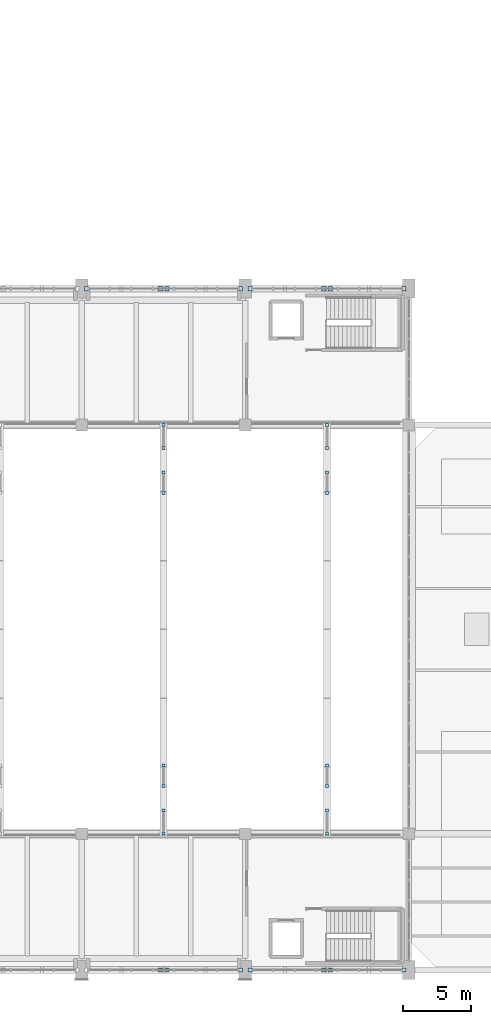
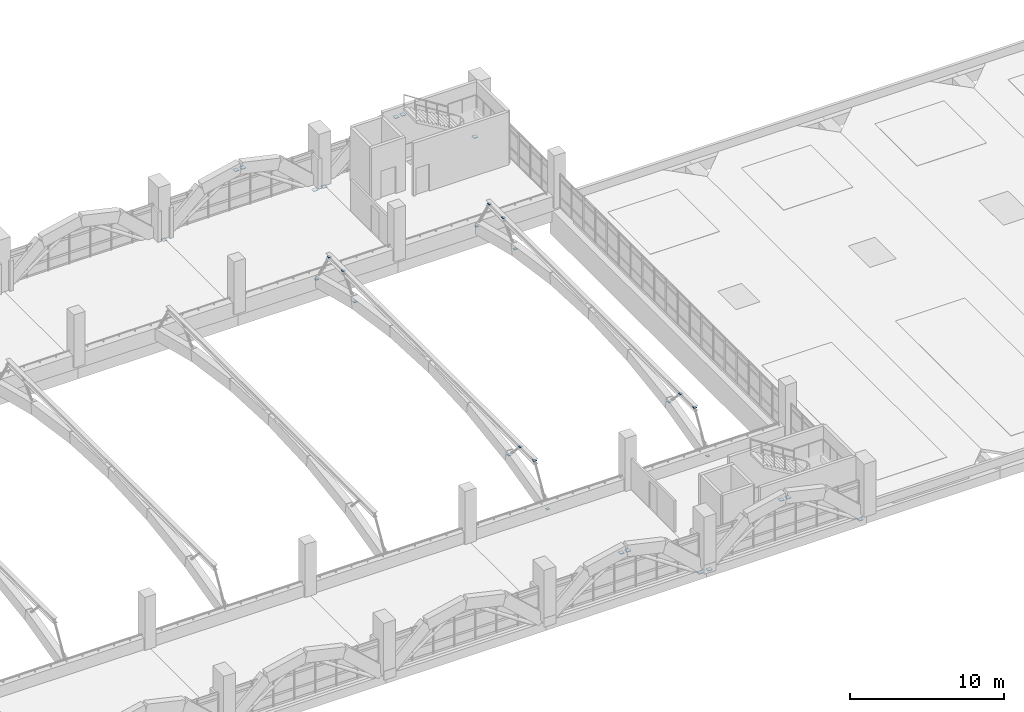
# One storey, part 144 of 161: 31 plates.
"""IFC4 building model written with IfcOpenShell, lengths in metres."""

from ifc_helpers import new_model, si_unit, direction, frame, origin, origin_2d, place, context, subcontext, project, spatial, rectangle, extrude, material, layer, layer_set, type_object, element, save


model = new_model("IFC4")

# Units and contexts
model_context = context("Model", 3, precision=1e-05, world=origin(), true_north=direction((0.0, 1.0)))
body_context = subcontext(model_context, "Body", "Model", "MODEL_VIEW")
ifc_project = project(units=[si_unit("LENGTHUNIT", "METRE"), si_unit("AREAUNIT", "SQUARE_METRE"), si_unit("VOLUMEUNIT", "CUBIC_METRE"), si_unit("PLANEANGLEUNIT", "RADIAN"), si_unit("MASSUNIT", "GRAM", prefix="KILO")], contexts=[model_context])

# Site, building, storey
site_placement = place(None, origin())
site = spatial("IfcSite", under=ifc_project, at=site_placement, CompositionType="ELEMENT")
building_placement = place(site_placement, origin())
building = spatial("IfcBuilding", under=site, at=building_placement, Name="Mersad Railyard Sports Hall", CompositionType="ELEMENT")
storey_placement = place(building_placement, frame((0.0, 0.0, 4.800048828125)))
storey = spatial("IfcBuildingStorey", under=building, at=storey_placement, Name="L01", CompositionType="ELEMENT", Elevation=4.800048828125)

# Plates
ifc_material = material(Name="Steel S355", Category="steel")
ifc_layer_1 = layer(ifc_material, 0.01611328125)
ifc_layer_set_1 = layer_set([ifc_layer_1], Name="Steel S355")
plate_type_1 = type_object("IfcPlateType", Name="STR-PL-KP02", PredefinedType="SHEET", material=ifc_layer_set_1)
for number, where, z_axis, x_axis, name in (
    (1, (73.0, 13.5, 0.33154296875), (0.0, 0.0, 1.0), (1.0, 0.0, 0.0), "End cap plate KP02-0157"),
    (2, (73.0, 15.199951171875, 3.141845703125), (0.0, 0.0, 1.0), (1.0, 0.0, 0.0), "End cap plate KP02-0158"),
    (3, (73.0, 18.5, 1.5712890625), (0.0, 0.0, 1.0), (1.0, 0.0, 0.0), "End cap plate KP02-0159"),
    (4, (73.0, 17.0, 3.141845703125), (0.0, 0.0, 1.0), (1.0, 0.0, 0.0), "End cap plate KP02-0160"),
    (5, (73.0, 43.5, 0.33154296875), (0.0, 0.0, 1.0), (1.0, 0.0, 0.0), "End cap plate KP02-0161"),
    (6, (73.0, 41.800048828125, 3.141845703125), (0.0, 0.0, 1.0), (1.0, 0.0, 0.0), "End cap plate KP02-0162"),
    (7, (73.0, 38.5, 1.5712890625), (0.0, 0.0, 1.0), (1.0, 0.0, 0.0), "End cap plate KP02-0163"),
    (8, (73.0, 40.0, 3.141845703125), (0.0, 0.0, 1.0), (1.0, 0.0, 0.0), "End cap plate KP02-0164"),
    (9, (85.0, 13.5, 0.33154296875), (0.0, 0.0, 1.0), (1.0, 0.0, 0.0), "End cap plate KP02-0165"),
    (10, (85.0, 15.199951171875, 3.141845703125), (0.0, 0.0, 1.0), (1.0, 0.0, 0.0), "End cap plate KP02-0166"),
    (11, (85.0, 18.5, 1.5712890625), (0.0, 0.0, 1.0), (1.0, 0.0, 0.0), "End cap plate KP02-0167"),
    (12, (85.0, 17.0, 3.141845703125), (0.0, 0.0, 1.0), (1.0, 0.0, 0.0), "End cap plate KP02-0168"),
    (13, (85.0, 43.5, 0.33154296875), (0.0, 0.0, 1.0), (1.0, 0.0, 0.0), "End cap plate KP02-0169"),
    (14, (85.0, 41.800048828125, 3.141845703125), (0.0, 0.0, 1.0), (1.0, 0.0, 0.0), "End cap plate KP02-0170"),
    (15, (85.0, 38.5, 1.5712890625), (0.0, 0.0, 1.0), (1.0, 0.0, 0.0), "End cap plate KP02-0171"),
    (16, (85.0, 40.0, 3.141845703125), (0.0, 0.0, 1.0), (1.0, 0.0, 0.0), "End cap plate KP02-0172"),
):
    element("IfcPlate", number, at=place(storey_placement, frame(where, z_axis=z_axis, x_axis=x_axis)), inside=storey, type_object=plate_type_1, Name=name, PredefinedType="SHEET", context=body_context, shape_type="SweptSolid", body=[
        extrude(rectangle(XDim=0.2099609375, YDim=0.2099609375, at=origin_2d()), origin(), (0.0, 0.0, 1.0), 0.01611328125),
    ])
ifc_layer_2 = layer(ifc_material, 0.0400390625)
ifc_layer_set_2 = layer_set([ifc_layer_2], Name="Steel S355")
plate_type_2 = type_object("IfcPlateType", Name="STR-PL-KP06", PredefinedType="SHEET", material=ifc_layer_set_2)
for number, where, z_axis, x_axis, name in (
    (17, (72.75, 3.5, 3.0), (0.0, 0.0, 1.0), (1.0, 0.0, 0.0), "End cap plate KP06-0042"),
    (18, (78.64990234375, 3.5, -0.64013671875), (0.0, 0.0, 1.0), (1.0, 0.0, 0.0), "End cap plate KP06-0043"),
    (19, (73.25, 3.5, 3.0), (0.0, 0.0, 1.0), (1.0, 0.0, 0.0), "End cap plate KP06-0044"),
    (20, (67.35009765625, 53.5, -0.64013671875), (0.0, 0.0, 1.0), (1.0, 0.0, 0.0), "End cap plate KP06-0045"),
    (21, (72.75, 53.5, 3.0), (0.0, 0.0, 1.0), (1.0, 0.0, 0.0), "End cap plate KP06-0046"),
    (22, (78.64990234375, 53.5, -0.64013671875), (0.0, 0.0, 1.0), (1.0, 0.0, 0.0), "End cap plate KP06-0047"),
    (23, (73.25, 53.5, 3.0), (0.0, 0.0, 1.0), (1.0, 0.0, 0.0), "End cap plate KP06-0048"),
    (24, (79.35009765625, 3.5, -0.64013671875), (0.0, 0.0, 1.0), (1.0, 0.0, 0.0), "End cap plate KP06-0049"),
    (25, (84.75, 3.5, 3.0), (0.0, 0.0, 1.0), (1.0, 0.0, 0.0), "End cap plate KP06-0050"),
    (26, (90.64990234375, 3.5, -0.64013671875), (0.0, 0.0, 1.0), (1.0, 0.0, 0.0), "End cap plate KP06-0051"),
    (27, (85.25, 3.5, 3.0), (0.0, 0.0, 1.0), (1.0, 0.0, 0.0), "End cap plate KP06-0052"),
    (28, (79.35009765625, 53.5, -0.64013671875), (0.0, 0.0, 1.0), (1.0, 0.0, 0.0), "End cap plate KP06-0053"),
    (29, (84.75, 53.5, 3.0), (0.0, 0.0, 1.0), (1.0, 0.0, 0.0), "End cap plate KP06-0054"),
    (30, (90.64990234375, 53.5, -0.64013671875), (0.0, 0.0, 1.0), (1.0, 0.0, 0.0), "End cap plate KP06-0055"),
    (31, (85.25, 53.5, 3.0), (0.0, 0.0, 1.0), (1.0, 0.0, 0.0), "End cap plate KP06-0056"),
):
    element("IfcPlate", number, at=place(storey_placement, frame(where, z_axis=z_axis, x_axis=x_axis)), inside=storey, type_object=plate_type_2, Name=name, PredefinedType="SHEET", context=body_context, shape_type="SweptSolid", body=[
        extrude(rectangle(XDim=0.320068359375, YDim=0.320068359375, at=origin_2d()), origin(), (0.0, 0.0, 1.0), 0.0400390625),
    ])

save(model, "model.ifc")
